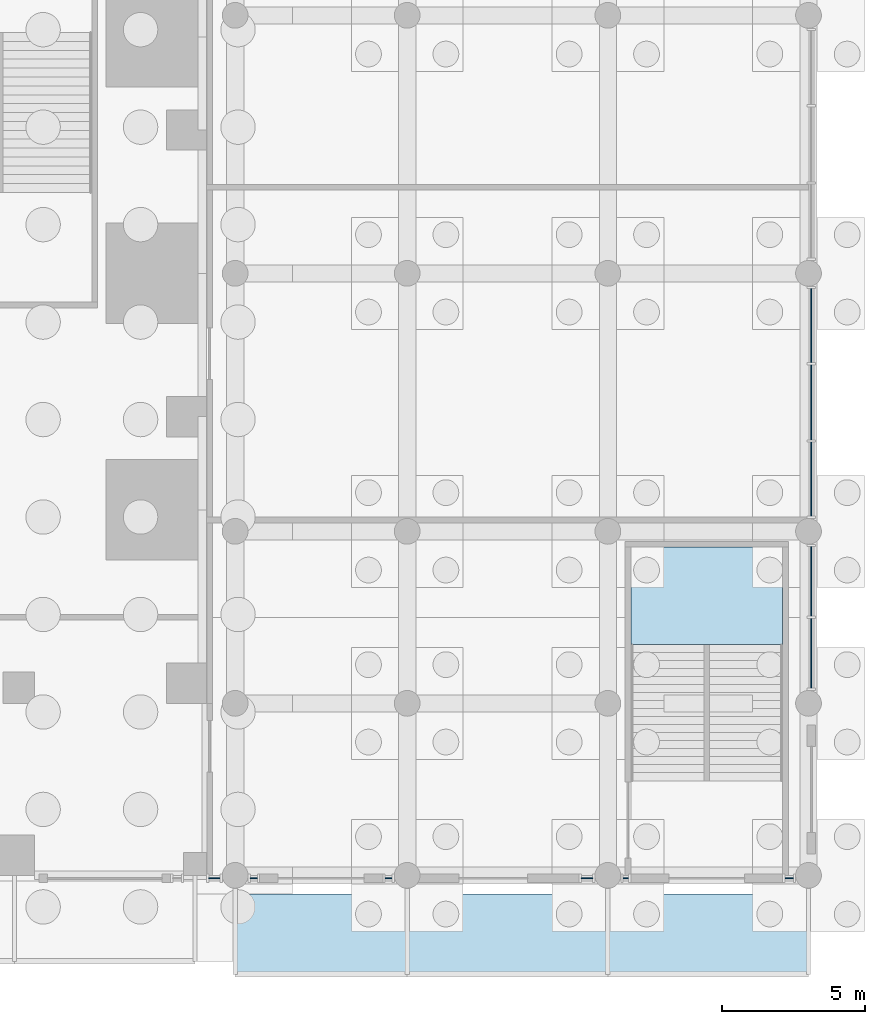
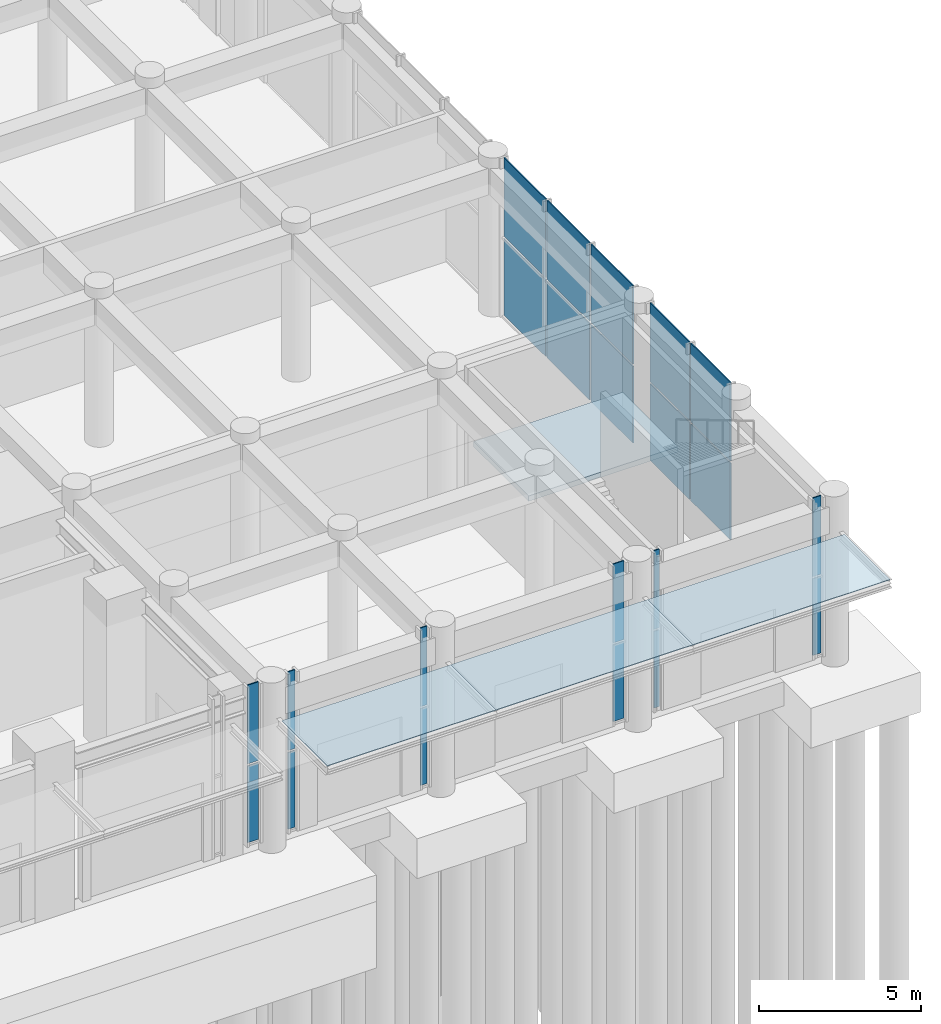
# One storey, part 20 of 46: 25 plates, 1 slab, 9 elements without a shape of their own.
"""IFC4 building model written with IfcOpenShell, lengths in metres."""

from ifc_helpers import new_model, si_unit, direction, frame, origin, origin_2d, place, context, subcontext, project, spatial, polyline, rectangle, outline, extrude, material, layer, layer_set, type_object, element, aggregate, save


model = new_model("IFC4")

# Units and contexts
model_context = context("Model", 3, precision=1e-05, world=origin(), true_north=direction((0.0, 1.0)))
body_context = subcontext(model_context, "Body", "Model", "MODEL_VIEW")
ifc_project = project(units=[si_unit("LENGTHUNIT", "METRE"), si_unit("AREAUNIT", "SQUARE_METRE"), si_unit("VOLUMEUNIT", "CUBIC_METRE"), si_unit("PLANEANGLEUNIT", "RADIAN"), si_unit("MASSUNIT", "GRAM", prefix="KILO")], contexts=[model_context])

# Site, building, storey
site_placement = place(None, origin())
site = spatial("IfcSite", under=ifc_project, at=site_placement, CompositionType="ELEMENT")
building_placement = place(site_placement, origin())
building = spatial("IfcBuilding", under=site, at=building_placement, Name="Svetlomir Tower", CompositionType="ELEMENT")
storey_placement = place(building_placement, origin())
storey = spatial("IfcBuildingStorey", under=building, at=storey_placement, Name="L00", CompositionType="ELEMENT", Elevation=0.0)

# Plates
ifc_material_1 = material(Name="Laminated toughened glass", Category="glass")
ifc_layer_1 = layer(ifc_material_1, 0.02490234375)
ifc_layer_set_1 = layer_set([ifc_layer_1], Name="Laminated toughened glass")
plate_type_1 = type_object("IfcPlateType", Name="CANOPY GLASS 25", PredefinedType="USERDEFINED", material=ifc_layer_set_1)
plate_1_placement = place(storey_placement, frame((46.0, -2.050048828125, 4.650146484375), z_axis=(0.0, 0.0, 1.0), x_axis=(1.0, 0.0, 0.0)))
element("IfcPlate", 1, at=plate_1_placement, inside=storey, type_object=plate_type_1, Name="Canopy glass 43 to 49", ObjectType="CANOPY GLASS", PredefinedType="USERDEFINED", context=body_context, shape_type="SweptSolid", body=[
    extrude(rectangle(XDim=6.0, YDim=2.800048828125, at=origin_2d()), origin(), (0.0, 0.0, 1.0), 0.02490234375),
])
for number, where, z_axis, x_axis, name in (
    (2, (52.5, -2.050048828125, 4.650146484375), (0.0, 0.0, 1.0), (1.0, 0.0, 0.0), "Canopy glass 49 to 56"),
    (3, (59.5, -2.050048828125, 4.650146484375), (0.0, 0.0, 1.0), (1.0, 0.0, 0.0), "Canopy glass 56 to 63"),
):
    element("IfcPlate", number, at=place(storey_placement, frame(where, z_axis=z_axis, x_axis=x_axis)), inside=storey, type_object=plate_type_1, Name=name, ObjectType="CANOPY GLASS", PredefinedType="USERDEFINED", context=body_context, shape_type="SweptSolid", body=[
        extrude(rectangle(XDim=7.0, YDim=2.800048828125, at=origin_2d()), origin(), (0.0, 0.0, 1.0), 0.02490234375),
    ])

# Curtain wall, plates
ifc_material_2 = material(Name="Bronze anodised aluminium curtain wall", Category="aluminium")
curtain_wall_type = type_object("IfcCurtainWallType", Name="CURTAIN WALL CW5 PODIUM", PredefinedType="NOTDEFINED", material=ifc_material_2)
curtain_wall_1_placement = place(storey_placement, origin())
curtain_wall_1 = element("IfcCurtainWall", 4, at=curtain_wall_1_placement, inside=storey, type_object=curtain_wall_type, Name="Curtain wall CW5 L00", PredefinedType="NOTDEFINED")
ifc_material_3 = material(Name="Tinted double glazed unit", Category="glass")
ifc_layer_2 = layer(ifc_material_3, 0.0400390625)
ifc_layer_set_2 = layer_set([ifc_layer_2], Name="Tinted double glazed unit")
plate_type_2 = type_object("IfcPlateType", Name="CW5 GLAZED PANEL 40", PredefinedType="CURTAIN_PANEL", material=ifc_layer_set_2)
plate_2_placement = place(storey_placement, frame((42.27490234375, -0.10009765625, 0.080078125), z_axis=(0.0, 0.0, 1.0), x_axis=(1.0, 0.0, 0.0)))
plate_2 = element("IfcPlate", 5, at=plate_2_placement, type_object=plate_type_2, Name="CW5 panel 1.1", PredefinedType="CURTAIN_PANEL", context=body_context, shape_type="SweptSolid", body=[
    extrude(rectangle(XDim=0.389892578125, YDim=0.0400390625, at=origin_2d()), origin(), (0.0, 0.0, 1.0), 2.8798828125),
])
plate_3_placement = place(storey_placement, frame((42.27490234375, -0.10009765625, 3.0400390625), z_axis=(0.0, 0.0, 1.0), x_axis=(1.0, 0.0, 0.0)))
plate_3 = element("IfcPlate", 6, at=plate_3_placement, type_object=plate_type_2, Name="CW5 panel 1.2", PredefinedType="CURTAIN_PANEL", context=body_context, shape_type="SweptSolid", body=[
    extrude(rectangle(XDim=0.389892578125, YDim=0.0400390625, at=origin_2d()), origin(), (0.0, 0.0, 1.0), 2.9599609375),
])
aggregate(curtain_wall_1, [plate_2, plate_3])

curtain_wall_2_placement = place(storey_placement, origin())
curtain_wall_2 = element("IfcCurtainWall", 7, at=curtain_wall_2_placement, inside=storey, type_object=curtain_wall_type, Name="Curtain wall CW5 L00", PredefinedType="NOTDEFINED")
plate_4_placement = place(storey_placement, frame((43.64990234375, -0.10009765625, 0.080078125), z_axis=(0.0, 0.0, 1.0), x_axis=(1.0, 0.0, 0.0)))
plate_4 = element("IfcPlate", 8, at=plate_4_placement, type_object=plate_type_2, Name="CW5 panel 1.1", PredefinedType="CURTAIN_PANEL", context=body_context, shape_type="SweptSolid", body=[
    extrude(rectangle(XDim=0.239990234375, YDim=0.0400390625, at=origin_2d()), origin(), (0.0, 0.0, 1.0), 2.8798828125),
])
plate_5_placement = place(storey_placement, frame((43.64990234375, -0.10009765625, 3.0400390625), z_axis=(0.0, 0.0, 1.0), x_axis=(1.0, 0.0, 0.0)))
plate_5 = element("IfcPlate", 9, at=plate_5_placement, type_object=plate_type_2, Name="CW5 panel 1.2", PredefinedType="CURTAIN_PANEL", context=body_context, shape_type="SweptSolid", body=[
    extrude(rectangle(XDim=0.239990234375, YDim=0.0400390625, at=origin_2d()), origin(), (0.0, 0.0, 1.0), 2.9599609375),
])
aggregate(curtain_wall_2, [plate_4, plate_5])

curtain_wall_3_placement = place(storey_placement, origin())
curtain_wall_3 = element("IfcCurtainWall", 10, at=curtain_wall_3_placement, inside=storey, type_object=curtain_wall_type, Name="Curtain wall CW5 L00", PredefinedType="NOTDEFINED")
plate_6_placement = place(storey_placement, frame((48.35009765625, -0.10009765625, 0.080078125), z_axis=(0.0, 0.0, 1.0), x_axis=(1.0, 0.0, 0.0)))
plate_6 = element("IfcPlate", 11, at=plate_6_placement, type_object=plate_type_2, Name="CW5 panel 1.1", PredefinedType="CURTAIN_PANEL", context=body_context, shape_type="SweptSolid", body=[
    extrude(rectangle(XDim=0.239990234375, YDim=0.0400390625, at=origin_2d()), origin(), (0.0, 0.0, 1.0), 2.8798828125),
])
plate_7_placement = place(storey_placement, frame((48.35009765625, -0.10009765625, 3.0400390625), z_axis=(0.0, 0.0, 1.0), x_axis=(1.0, 0.0, 0.0)))
plate_7 = element("IfcPlate", 12, at=plate_7_placement, type_object=plate_type_2, Name="CW5 panel 1.2", PredefinedType="CURTAIN_PANEL", context=body_context, shape_type="SweptSolid", body=[
    extrude(rectangle(XDim=0.239990234375, YDim=0.0400390625, at=origin_2d()), origin(), (0.0, 0.0, 1.0), 2.9599609375),
])
aggregate(curtain_wall_3, [plate_6, plate_7])

curtain_wall_4_placement = place(storey_placement, origin())
curtain_wall_4 = element("IfcCurtainWall", 13, at=curtain_wall_4_placement, inside=storey, type_object=curtain_wall_type, Name="Curtain wall CW5 L00", PredefinedType="NOTDEFINED")
plate_8_placement = place(storey_placement, frame((55.27490234375, -0.10009765625, 0.080078125), z_axis=(0.0, 0.0, 1.0), x_axis=(1.0, 0.0, 0.0)))
plate_8 = element("IfcPlate", 14, at=plate_8_placement, type_object=plate_type_2, Name="CW5 panel 1.1", PredefinedType="CURTAIN_PANEL", context=body_context, shape_type="SweptSolid", body=[
    extrude(rectangle(XDim=0.389892578125, YDim=0.0400390625, at=origin_2d()), origin(), (0.0, 0.0, 1.0), 2.8798828125),
])
plate_9_placement = place(storey_placement, frame((55.27490234375, -0.10009765625, 3.0400390625), z_axis=(0.0, 0.0, 1.0), x_axis=(1.0, 0.0, 0.0)))
plate_9 = element("IfcPlate", 15, at=plate_9_placement, type_object=plate_type_2, Name="CW5 panel 1.2", PredefinedType="CURTAIN_PANEL", context=body_context, shape_type="SweptSolid", body=[
    extrude(rectangle(XDim=0.389892578125, YDim=0.0400390625, at=origin_2d()), origin(), (0.0, 0.0, 1.0), 2.9599609375),
])
aggregate(curtain_wall_4, [plate_8, plate_9])

curtain_wall_5_placement = place(storey_placement, origin())
curtain_wall_5 = element("IfcCurtainWall", 16, at=curtain_wall_5_placement, inside=storey, type_object=curtain_wall_type, Name="Curtain wall CW5 L00", PredefinedType="NOTDEFINED")
plate_10_placement = place(storey_placement, frame((56.625, -0.10009765625, 0.080078125), z_axis=(0.0, 0.0, 1.0), x_axis=(1.0, 0.0, 0.0)))
plate_10 = element("IfcPlate", 17, at=plate_10_placement, type_object=plate_type_2, Name="CW5 panel 1.1", PredefinedType="CURTAIN_PANEL", context=body_context, shape_type="SweptSolid", body=[
    extrude(rectangle(XDim=0.18994140625, YDim=0.0400390625, at=origin_2d()), origin(), (0.0, 0.0, 1.0), 2.8798828125),
])
plate_11_placement = place(storey_placement, frame((56.625, -0.10009765625, 3.0400390625), z_axis=(0.0, 0.0, 1.0), x_axis=(1.0, 0.0, 0.0)))
plate_11 = element("IfcPlate", 18, at=plate_11_placement, type_object=plate_type_2, Name="CW5 panel 1.2", PredefinedType="CURTAIN_PANEL", context=body_context, shape_type="SweptSolid", body=[
    extrude(rectangle(XDim=0.18994140625, YDim=0.0400390625, at=origin_2d()), origin(), (0.0, 0.0, 1.0), 2.9599609375),
])
aggregate(curtain_wall_5, [plate_10, plate_11])

curtain_wall_6_placement = place(storey_placement, origin())
curtain_wall_6 = element("IfcCurtainWall", 19, at=curtain_wall_6_placement, inside=storey, type_object=curtain_wall_type, Name="Curtain wall CW5 L00", PredefinedType="NOTDEFINED")
plate_12_placement = place(storey_placement, frame((62.324951171875, -0.10009765625, 0.080078125), z_axis=(0.0, 0.0, 1.0), x_axis=(1.0, 0.0, 0.0)))
plate_12 = element("IfcPlate", 20, at=plate_12_placement, type_object=plate_type_2, Name="CW5 panel 1.1", PredefinedType="CURTAIN_PANEL", context=body_context, shape_type="SweptSolid", body=[
    extrude(rectangle(XDim=0.2900390625, YDim=0.0400390625, at=origin_2d()), origin(), (0.0, 0.0, 1.0), 2.8798828125),
])
plate_13_placement = place(storey_placement, frame((62.324951171875, -0.10009765625, 3.0400390625), z_axis=(0.0, 0.0, 1.0), x_axis=(1.0, 0.0, 0.0)))
plate_13 = element("IfcPlate", 21, at=plate_13_placement, type_object=plate_type_2, Name="CW5 panel 1.2", PredefinedType="CURTAIN_PANEL", context=body_context, shape_type="SweptSolid", body=[
    extrude(rectangle(XDim=0.2900390625, YDim=0.0400390625, at=origin_2d()), origin(), (0.0, 0.0, 1.0), 2.9599609375),
])
aggregate(curtain_wall_6, [plate_12, plate_13])

curtain_wall_7_placement = place(storey_placement, origin())
curtain_wall_7 = element("IfcCurtainWall", 22, at=curtain_wall_7_placement, inside=storey, type_object=curtain_wall_type, Name="Curtain wall CW5 L00", PredefinedType="NOTDEFINED")
plate_14_placement = place(storey_placement, frame((63.10009765625, 7.7451171875, 0.080078125), z_axis=(0.0, 0.0, 1.0), x_axis=(0.0, 1.0, 0.0)))
plate_14 = element("IfcPlate", 23, at=plate_14_placement, type_object=plate_type_2, Name="CW5 panel 1.1", PredefinedType="CURTAIN_PANEL", context=body_context, shape_type="SweptSolid", body=[
    extrude(rectangle(XDim=2.429931640625, YDim=0.0400390625, at=origin_2d()), origin(), (0.0, 0.0, 1.0), 2.8798828125),
])
plate_15_placement = place(storey_placement, frame((63.10009765625, 7.7451171875, 3.0400390625), z_axis=(0.0, 0.0, 1.0), x_axis=(0.0, 1.0, 0.0)))
plate_15 = element("IfcPlate", 24, at=plate_15_placement, type_object=plate_type_2, Name="CW5 panel 1.2", PredefinedType="CURTAIN_PANEL", context=body_context, shape_type="SweptSolid", body=[
    extrude(rectangle(XDim=2.429931640625, YDim=0.0400390625, at=origin_2d()), origin(), (0.0, 0.0, 1.0), 2.9599609375),
])
plate_16_placement = place(storey_placement, frame((63.10009765625, 10.2548828125, 0.080078125), z_axis=(0.0, 0.0, 1.0), x_axis=(0.0, 1.0, 0.0)))
plate_16 = element("IfcPlate", 25, at=plate_16_placement, type_object=plate_type_2, Name="CW5 panel 2.1", PredefinedType="CURTAIN_PANEL", context=body_context, shape_type="SweptSolid", body=[
    extrude(rectangle(XDim=2.429931640625, YDim=0.0400390625, at=origin_2d()), origin(), (0.0, 0.0, 1.0), 2.8798828125),
])
plate_17_placement = place(storey_placement, frame((63.10009765625, 10.2548828125, 3.0400390625), z_axis=(0.0, 0.0, 1.0), x_axis=(0.0, 1.0, 0.0)))
plate_17 = element("IfcPlate", 26, at=plate_17_placement, type_object=plate_type_2, Name="CW5 panel 2.2", PredefinedType="CURTAIN_PANEL", context=body_context, shape_type="SweptSolid", body=[
    extrude(rectangle(XDim=2.429931640625, YDim=0.0400390625, at=origin_2d()), origin(), (0.0, 0.0, 1.0), 2.9599609375),
])
aggregate(curtain_wall_7, [plate_14, plate_15, plate_16, plate_17])

curtain_wall_8_placement = place(storey_placement, origin())
curtain_wall_8 = element("IfcCurtainWall", 27, at=curtain_wall_8_placement, inside=storey, type_object=curtain_wall_type, Name="Curtain wall CW5 L00", PredefinedType="NOTDEFINED")
plate_18_placement = place(storey_placement, frame((63.10009765625, 13.820068359375, 0.080078125), z_axis=(0.0, 0.0, 1.0), x_axis=(0.0, 1.0, 0.0)))
plate_18 = element("IfcPlate", 28, at=plate_18_placement, type_object=plate_type_2, Name="CW5 panel 1.1", PredefinedType="CURTAIN_PANEL", context=body_context, shape_type="SweptSolid", body=[
    extrude(rectangle(XDim=2.580078125, YDim=0.0400390625, at=origin_2d()), origin(), (0.0, 0.0, 1.0), 2.8798828125),
])
plate_19_placement = place(storey_placement, frame((63.10009765625, 13.820068359375, 3.0400390625), z_axis=(0.0, 0.0, 1.0), x_axis=(0.0, 1.0, 0.0)))
plate_19 = element("IfcPlate", 29, at=plate_19_placement, type_object=plate_type_2, Name="CW5 panel 1.2", PredefinedType="CURTAIN_PANEL", context=body_context, shape_type="SweptSolid", body=[
    extrude(rectangle(XDim=2.580078125, YDim=0.0400390625, at=origin_2d()), origin(), (0.0, 0.0, 1.0), 2.9599609375),
])
plate_20_placement = place(storey_placement, frame((63.10009765625, 16.5, 0.080078125), z_axis=(0.0, 0.0, 1.0), x_axis=(0.0, 1.0, 0.0)))
plate_20 = element("IfcPlate", 30, at=plate_20_placement, type_object=plate_type_2, Name="CW5 panel 2.1", PredefinedType="CURTAIN_PANEL", context=body_context, shape_type="SweptSolid", body=[
    extrude(rectangle(XDim=2.6201171875, YDim=0.0400390625, at=origin_2d()), origin(), (0.0, 0.0, 1.0), 2.8798828125),
])
plate_21_placement = place(storey_placement, frame((63.10009765625, 16.5, 3.0400390625), z_axis=(0.0, 0.0, 1.0), x_axis=(0.0, 1.0, 0.0)))
plate_21 = element("IfcPlate", 31, at=plate_21_placement, type_object=plate_type_2, Name="CW5 panel 2.2", PredefinedType="CURTAIN_PANEL", context=body_context, shape_type="SweptSolid", body=[
    extrude(rectangle(XDim=2.6201171875, YDim=0.0400390625, at=origin_2d()), origin(), (0.0, 0.0, 1.0), 2.9599609375),
])
plate_22_placement = place(storey_placement, frame((63.10009765625, 19.179931640625, 0.080078125), z_axis=(0.0, 0.0, 1.0), x_axis=(0.0, 1.0, 0.0)))
plate_22 = element("IfcPlate", 32, at=plate_22_placement, type_object=plate_type_2, Name="CW5 panel 3.1", PredefinedType="CURTAIN_PANEL", context=body_context, shape_type="SweptSolid", body=[
    extrude(rectangle(XDim=2.580078125, YDim=0.0400390625, at=origin_2d()), origin(), (0.0, 0.0, 1.0), 2.8798828125),
])
plate_23_placement = place(storey_placement, frame((63.10009765625, 19.179931640625, 3.0400390625), z_axis=(0.0, 0.0, 1.0), x_axis=(0.0, 1.0, 0.0)))
plate_23 = element("IfcPlate", 33, at=plate_23_placement, type_object=plate_type_2, Name="CW5 panel 3.2", PredefinedType="CURTAIN_PANEL", context=body_context, shape_type="SweptSolid", body=[
    extrude(rectangle(XDim=2.580078125, YDim=0.0400390625, at=origin_2d()), origin(), (0.0, 0.0, 1.0), 2.9599609375),
])
aggregate(curtain_wall_8, [plate_18, plate_19, plate_20, plate_21, plate_22, plate_23])

# Stair, slab
ifc_material_4 = material(Name="Concrete C60/75", Category="concrete")
stair_type = type_object("IfcStairType", Name="EXIT STAIR 5300 RISE 6000", PredefinedType="HALF_TURN_STAIR", material=ifc_material_4)
stair_placement = place(storey_placement, origin())
stair = element("IfcStair", 34, at=stair_placement, inside=storey, type_object=stair_type, Name="Stair P4 L00 to L01", PredefinedType="HALF_TURN_STAIR")
ifc_material_5 = material(Name="Concrete C60/75", Category="concrete")
ifc_layer_3 = layer(ifc_material_5, 0.199951171875)
ifc_layer_set_3 = layer_set([ifc_layer_3], Name="Concrete C60/75")
slab_type = type_object("IfcSlabType", Name="STAIR LANDING 200", PredefinedType="LANDING", material=ifc_layer_set_3)
slab_placement = place(storey_placement, frame((0.0, 0.0, 2.800048828125)))
slab = element("IfcSlab", 35, at=slab_placement, type_object=slab_type, Name="P4 landing 1", PredefinedType="LANDING", context=body_context, shape_type="SweptSolid", body=[
    extrude(outline(polyline([(56.800048828125, 8.06005859375), (62.10009765625, 8.06005859375), (62.10009765625, 11.449951171875), (56.800048828125, 11.449951171875), (56.800048828125, 8.06005859375)])), origin(), (0.0, 0.0, 1.0), 0.199951171875),
])
aggregate(stair, [slab])

save(model, "model.ifc")
